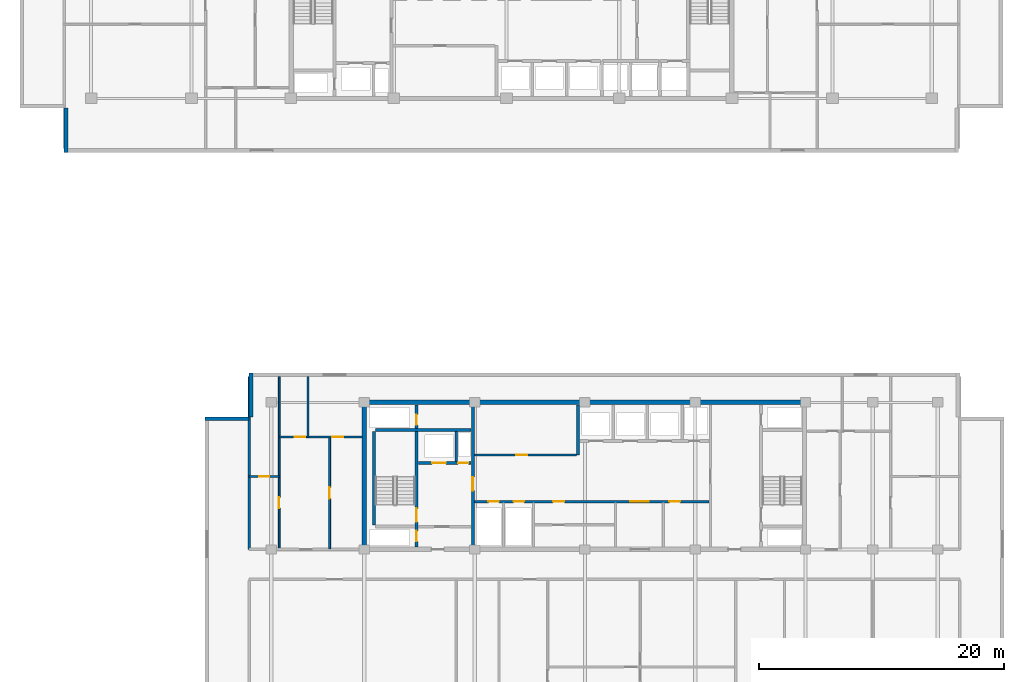
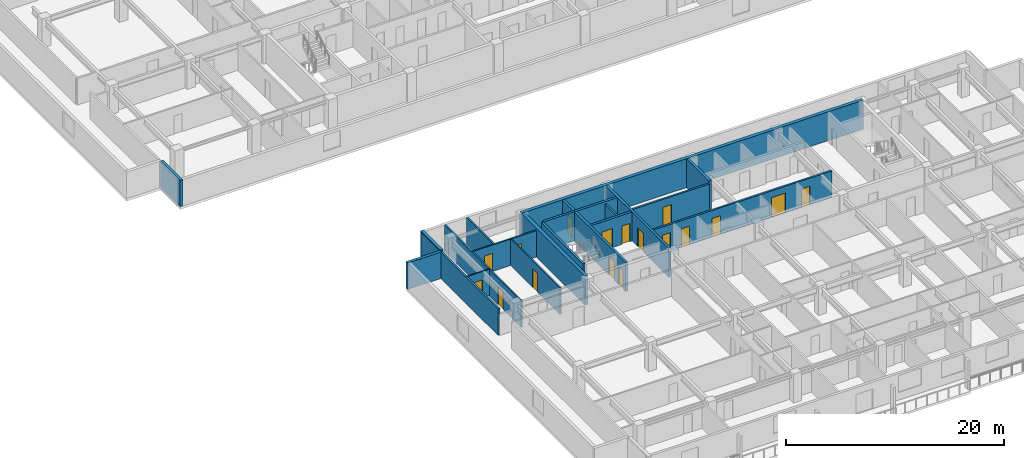
# One storey, part 6 of 21: 20 walls, 17 doors, 17 openings.
"""IFC4 building model written with IfcOpenShell, lengths in metres."""

from ifc_helpers import new_model, si_unit, direction, frame, frame_2d, origin, place, context, subcontext, project, spatial, rectangle, extrude, material, layer, layer_set, type_object, element, fill, save


model = new_model("IFC4")

# Units and contexts
model_context = context("Model", 3, precision=1e-05, world=origin(), true_north=direction((0.0, 1.0)))
body_context = subcontext(model_context, "Body", "Model", "MODEL_VIEW")
ifc_project = project(units=[si_unit("LENGTHUNIT", "METRE"), si_unit("AREAUNIT", "SQUARE_METRE"), si_unit("VOLUMEUNIT", "CUBIC_METRE"), si_unit("PLANEANGLEUNIT", "RADIAN"), si_unit("MASSUNIT", "GRAM", prefix="KILO")], contexts=[model_context])

# Site, building, storey
site_placement = place(None, origin())
site = spatial("IfcSite", under=ifc_project, at=site_placement, CompositionType="ELEMENT")
building_placement = place(site_placement, origin())
building = spatial("IfcBuilding", under=site, at=building_placement, Name="Korimba Cascade Residences", CompositionType="ELEMENT")
storey_placement = place(building_placement, frame((0.0, 0.0, 119.800048828125)))
storey = spatial("IfcBuildingStorey", under=building, at=storey_placement, Name="L34", CompositionType="ELEMENT", Elevation=119.800048828125)

# Walls
ifc_material_1 = material(Name="Precast concrete C40/50", Category="concrete")
ifc_layer_1 = layer(ifc_material_1, 0.300048828125)
ifc_layer_set_1 = layer_set([ifc_layer_1], Name="Precast concrete C40/50")
wall_type_1 = type_object("IfcWallType", Name="EW-STONE-300", PredefinedType="STANDARD", material=ifc_layer_set_1)
wall_1_placement = place(storey_placement, frame((57.75, 54.39990234375, 0.0), z_axis=(0.0, 0.0, 1.0), x_axis=(0.0, -1.0, 0.0)))
element("IfcWall", 1, at=wall_1_placement, inside=storey, type_object=wall_type_1, Name="L34 T1 Perimeter Stone Wall E11", PredefinedType="STANDARD", context=body_context, shape_type="SweptSolid", body=[
    extrude(rectangle(XDim=3.599853515625, YDim=0.300048828125, at=frame_2d((1.7998046875, 0.0))), origin(), (0.0, 0.0, 1.0), 2.969970703125),
])
wall_2_placement = place(storey_placement, frame((72.85009765625, 32.800048828125, 0.0), z_axis=(0.0, 0.0, 1.0), x_axis=(0.0, -1.0, 0.0)))
element("IfcWall", 2, at=wall_2_placement, inside=storey, type_object=wall_type_1, Name="L34 T2 Perimeter Stone Wall E07", PredefinedType="STANDARD", context=body_context, shape_type="SweptSolid", body=[
    extrude(rectangle(XDim=3.60009765625, YDim=0.300048828125, at=frame_2d((1.800048828125, 0.0))), origin(), (0.0, 0.0, 1.0), 2.969970703125),
])
wall_3_placement = place(storey_placement, frame((72.699951171875, 29.050048828125, 0.0), z_axis=(0.0, 0.0, 1.0), x_axis=(-1.0, 0.0, 0.0)))
element("IfcWall", 3, at=wall_3_placement, inside=storey, type_object=wall_type_1, Name="L34 T2 Perimeter Stone Wall E08", PredefinedType="STANDARD", context=body_context, shape_type="SweptSolid", body=[
    extrude(rectangle(XDim=3.599853515625, YDim=0.300048828125, at=frame_2d((1.7998046875, 0.0))), origin(), (0.0, 0.0, 1.0), 2.969970703125),
])
ifc_material_2 = material(Name="Concrete C65/80", Category="concrete")
ifc_layer_2 = layer(ifc_material_2, 0.35009765625)
ifc_layer_set_2 = layer_set([ifc_layer_2], Name="Concrete C65/80")
wall_type_2 = type_object("IfcWallType", Name="WAL-CORE-350", PredefinedType="SHEAR", material=ifc_layer_set_2)
wall_4_placement = place(storey_placement, frame((81.925048828125, 30.39990234375, 0.0), z_axis=(0.0, 0.0, 1.0), x_axis=(1.0, 0.0, 0.0)))
element("IfcWall", 4, at=wall_4_placement, inside=storey, type_object=wall_type_2, Name="L34 Core Shear Wall CW-L34-T2-N", PredefinedType="SHEAR", context=body_context, shape_type="SweptSolid", body=[
    extrude(rectangle(XDim=36.264892578125, YDim=0.35009765625, at=frame_2d((18.13232421875, 0.0))), origin(), (0.0, 0.0, 1.0), 3.25),
])
wall_5_placement = place(storey_placement, frame((82.10009765625, 18.574951171875, 0.0), z_axis=(0.0, 0.0, 1.0), x_axis=(0.0, 1.0, 0.0)))
element("IfcWall", 5, at=wall_5_placement, inside=storey, type_object=wall_type_2, Name="L34 Core Shear Wall CW-L34-T2-W", PredefinedType="SHEAR", context=body_context, shape_type="SweptSolid", body=[
    extrude(rectangle(XDim=11.650146484375, YDim=0.35009765625, at=frame_2d((5.8251953125, 0.0))), origin(), (0.0, 0.0, 1.0), 3.25),
])
ifc_layer_3 = layer(ifc_material_1, 0.199951171875)
ifc_layer_set_3 = layer_set([ifc_layer_3], Name="Precast concrete C40/50")
wall_type_3 = type_object("IfcWallType", Name="WAL-IT-200", PredefinedType="PARTITIONING", material=ifc_layer_set_3)
wall_6_placement = place(storey_placement, frame((72.699951171875, 18.39990234375, 0.0), z_axis=(0.0, 0.0, 1.0), x_axis=(0.0, 1.0, 0.0)))
element("IfcWall", 6, at=wall_6_placement, inside=storey, type_object=wall_type_3, Name="L34 Partition Wall WAL-L34-T2-FW-WL", PredefinedType="PARTITIONING", context=body_context, shape_type="SweptSolid", body=[
    extrude(rectangle(XDim=14.10009765625, YDim=0.199951171875, at=frame_2d((7.050048828125, 0.0))), origin(), (0.0, 0.0, 1.0), 2.969970703125),
])

# Wall, opening, door
ifc_material_3 = material(Name="Insulated Acoustic Stud Partition", Category="gypsum")
ifc_layer_4 = layer(ifc_material_3, 0.14990234375)
ifc_layer_set_4 = layer_set([ifc_layer_4], Name="Insulated Acoustic Stud Partition")
wall_type_4 = type_object("IfcWallType", Name="WAL-PART-150", PredefinedType="PARTITIONING", material=ifc_layer_set_4)
wall_7_placement = place(storey_placement, frame((72.699951171875, 24.35009765625, 0.0), z_axis=(0.0, 0.0, 1.0), x_axis=(1.0, 0.0, 0.0)))
wall_7 = element("IfcWall", 7, at=wall_7_placement, inside=storey, type_object=wall_type_4, Name="L34 Partition Wall WAL-L34-T2-FW-STH", PredefinedType="PARTITIONING", context=body_context, shape_type="SweptSolid", body=[
    extrude(rectangle(XDim=2.449951171875, YDim=0.14990234375, at=frame_2d((1.22509765625, 0.0))), origin(), (0.0, 0.0, 1.0), 2.969970703125),
])
opening_1_placement = place(wall_7_placement, frame((0.804931640625, 0.0, 0.0)))
opening_1 = element("IfcOpeningElement", 8, at=opening_1_placement, cuts=wall_7, Name="Opening D-BT1", PredefinedType="OPENING", context=body_context, shape_type="SweptSolid", body=[
    extrude(rectangle(XDim=0.840087890625, YDim=2.0400390625, at=frame_2d((0.419921875, 1.02001953125))), frame((0.0, 0.0849609375, 0.0), z_axis=(0.0, -1.0, 0.0), x_axis=(1.0, 0.0, 0.0)), (0.0, 0.0, 1.0), 0.169921875),
])
ifc_material_4 = material(Name="Moisture-Resistant Bathroom Timber Door", Category="wood")
door_type_1 = type_object("IfcDoorType", Name="DR-INT-850", OperationType="NOTDEFINED", PredefinedType="DOOR", material=ifc_material_4)
door_1_placement = place(opening_1_placement, origin())
door_1 = element("IfcDoor", 9, at=door_1_placement, inside=storey, type_object=door_type_1, Name="L34-T2-FW Dressing Store Door", OperationType="SINGLE_SWING_RIGHT", OverallHeight=2.0400390625, OverallWidth=0.840087890625, PredefinedType="DOOR", context=body_context, shape_type="SweptSolid", body=[
    extrude(rectangle(XDim=0.840087890625, YDim=2.0400390625, at=frame_2d((0.419921875, 1.02001953125))), frame((0.0, 0.02490234375, 0.0), z_axis=(0.0, -1.0, 0.0), x_axis=(1.0, 0.0, 0.0)), (0.0, 0.0, 1.0), 0.050048828125),
])
fill(opening_1, door_1)

wall_8_placement = place(storey_placement, frame((75.14990234375, 18.449951171875, 0.0), z_axis=(0.0, 0.0, 1.0), x_axis=(0.0, 1.0, 0.0)))
wall_8 = element("IfcWall", 10, at=wall_8_placement, inside=storey, type_object=wall_type_4, Name="L34 Partition Wall WAL-L34-T2-FW-STV", PredefinedType="PARTITIONING", context=body_context, shape_type="SweptSolid", body=[
    extrude(rectangle(XDim=14.050048828125, YDim=0.14990234375, at=frame_2d((7.02490234375, 0.0))), origin(), (0.0, 0.0, 1.0), 2.969970703125),
])
opening_2_placement = place(wall_8_placement, frame((3.320068359375, 0.0, 0.0)))
opening_2 = element("IfcOpeningElement", 11, at=opening_2_placement, cuts=wall_8, Name="Opening D-IN2", PredefinedType="OPENING", context=body_context, shape_type="SweptSolid", body=[
    extrude(rectangle(XDim=0.8798828125, YDim=2.06005859375, at=frame_2d((0.43994140625, 1.030029296875))), frame((0.0, 0.0849609375, 0.0), z_axis=(0.0, -1.0, 0.0), x_axis=(1.0, 0.0, 0.0)), (0.0, 0.0, 1.0), 0.169921875),
])
ifc_material_5 = material(Name="Acoustic Timber Bedroom Door", Category="wood")
door_type_2 = type_object("IfcDoorType", Name="DR-INT-880", OperationType="NOTDEFINED", PredefinedType="DOOR", material=ifc_material_5)
door_2_placement = place(opening_2_placement, origin())
door_2 = element("IfcDoor", 12, at=door_2_placement, inside=storey, type_object=door_type_2, Name="L34-T2-FW Study Door", OperationType="SINGLE_SWING_LEFT", OverallHeight=2.06005859375, OverallWidth=0.8798828125, PredefinedType="DOOR", context=body_context, shape_type="SweptSolid", body=[
    extrude(rectangle(XDim=0.8798828125, YDim=2.06005859375, at=frame_2d((0.43994140625, 1.030029296875))), frame((0.0, 0.02490234375, 0.0), z_axis=(0.0, -1.0, 0.0), x_axis=(1.0, 0.0, 0.0)), (0.0, 0.0, 1.0), 0.050048828125),
])
fill(opening_2, door_2)

wall_9_placement = place(storey_placement, frame((79.27001953125, 18.449951171875, 0.0), z_axis=(0.0, 0.0, 1.0), x_axis=(0.0, 1.0, 0.0)))
wall_9 = element("IfcWall", 13, at=wall_9_placement, inside=storey, type_object=wall_type_4, Name="L34 Partition Wall WAL-L34-T2-FW-VS", PredefinedType="PARTITIONING", context=body_context, shape_type="SweptSolid", body=[
    extrude(rectangle(XDim=9.1201171875, YDim=0.14990234375, at=frame_2d((4.56005859375, 0.0))), origin(), (0.0, 0.0, 1.0), 2.969970703125),
])
opening_3_placement = place(wall_9_placement, frame((4.10009765625, 0.0, 0.0)))
opening_3 = element("IfcOpeningElement", 14, at=opening_3_placement, cuts=wall_9, Name="Opening D-IN1", PredefinedType="OPENING", context=body_context, shape_type="SweptSolid", body=[
    extrude(rectangle(XDim=0.919921875, YDim=2.080078125, at=frame_2d((0.4599609375, 1.0400390625))), frame((0.0, 0.0849609375, 0.0), z_axis=(0.0, -1.0, 0.0), x_axis=(1.0, 0.0, 0.0)), (0.0, 0.0, 1.0), 0.169921875),
])
ifc_material_6 = material(Name="Acoustic Timber Living Door", Category="wood")
door_type_3 = type_object("IfcDoorType", Name="DR-INT-920", OperationType="NOTDEFINED", PredefinedType="DOOR", material=ifc_material_6)
door_3_placement = place(opening_3_placement, origin())
door_3 = element("IfcDoor", 15, at=door_3_placement, inside=storey, type_object=door_type_3, Name="L34-T2-FW Living Door", OperationType="SINGLE_SWING_RIGHT", OverallHeight=2.080078125, OverallWidth=0.919921875, PredefinedType="DOOR", context=body_context, shape_type="SweptSolid", body=[
    extrude(rectangle(XDim=0.919921875, YDim=2.080078125, at=frame_2d((0.4599609375, 1.0400390625))), frame((0.0, 0.02490234375, 0.0), z_axis=(0.0, -1.0, 0.0), x_axis=(1.0, 0.0, 0.0)), (0.0, 0.0, 1.0), 0.050048828125),
])
fill(opening_3, door_3)

# Wall
wall_10_placement = place(storey_placement, frame((77.5, 27.570068359375, 0.0), z_axis=(0.0, 0.0, 1.0), x_axis=(0.0, 1.0, 0.0)))
element("IfcWall", 16, at=wall_10_placement, inside=storey, type_object=wall_type_4, Name="L34 Partition Wall WAL-L34-T2-FW-VN", PredefinedType="PARTITIONING", context=body_context, shape_type="SweptSolid", body=[
    extrude(rectangle(XDim=4.929931640625, YDim=0.14990234375, at=frame_2d((2.46484375, 0.0))), origin(), (0.0, 0.0, 1.0), 2.969970703125),
])

# Wall, openings, doors
wall_11_placement = place(storey_placement, frame((75.169921875, 27.570068359375, 0.0), z_axis=(0.0, 0.0, 1.0), x_axis=(1.0, 0.0, 0.0)))
wall_11 = element("IfcWall", 17, at=wall_11_placement, inside=storey, type_object=wall_type_4, Name="L34 Partition Wall WAL-L34-T2-FW-H", PredefinedType="PARTITIONING", context=body_context, shape_type="SweptSolid", body=[
    extrude(rectangle(XDim=6.760009765625, YDim=0.14990234375, at=frame_2d((3.3798828125, 0.0))), origin(), (0.0, 0.0, 1.0), 2.969970703125),
])
opening_4_placement = place(wall_11_placement, frame((1.266357421875, 0.0, 0.0)))
opening_4 = element("IfcOpeningElement", 18, at=opening_4_placement, cuts=wall_11, Name="Opening D-BT1", PredefinedType="OPENING", context=body_context, shape_type="SweptSolid", body=[
    extrude(rectangle(XDim=0.840087890625, YDim=2.0400390625, at=frame_2d((0.419921875, 1.02001953125))), frame((0.0, 0.0849609375, 0.0), z_axis=(0.0, -1.0, 0.0), x_axis=(1.0, 0.0, 0.0)), (0.0, 0.0, 1.0), 0.169921875),
])
opening_5_placement = place(wall_11_placement, frame((4.320068359375, 0.0, 0.0)))
opening_5 = element("IfcOpeningElement", 19, at=opening_5_placement, cuts=wall_11, Name="Opening D-IN2", PredefinedType="OPENING", context=body_context, shape_type="SweptSolid", body=[
    extrude(rectangle(XDim=0.8798828125, YDim=2.06005859375, at=frame_2d((0.43994140625, 1.030029296875))), frame((0.0, 0.0849609375, 0.0), z_axis=(0.0, -1.0, 0.0), x_axis=(1.0, 0.0, 0.0)), (0.0, 0.0, 1.0), 0.169921875),
])
door_4_placement = place(opening_4_placement, origin())
door_4 = element("IfcDoor", 20, at=door_4_placement, inside=storey, type_object=door_type_1, Name="L34-T2-FW Bathroom Door", OperationType="SINGLE_SWING_LEFT", OverallHeight=2.0400390625, OverallWidth=0.840087890625, PredefinedType="DOOR", context=body_context, shape_type="SweptSolid", body=[
    extrude(rectangle(XDim=0.840087890625, YDim=2.0400390625, at=frame_2d((0.419921875, 1.02001953125))), frame((0.0, 0.02490234375, 0.0), z_axis=(0.0, -1.0, 0.0), x_axis=(1.0, 0.0, 0.0)), (0.0, 0.0, 1.0), 0.050048828125),
])
fill(opening_4, door_4)
door_5_placement = place(opening_5_placement, origin())
door_5 = element("IfcDoor", 21, at=door_5_placement, inside=storey, type_object=door_type_2, Name="L34-T2-FW Bedroom Door", OperationType="SINGLE_SWING_RIGHT", OverallHeight=2.06005859375, OverallWidth=0.8798828125, PredefinedType="DOOR", context=body_context, shape_type="SweptSolid", body=[
    extrude(rectangle(XDim=0.8798828125, YDim=2.06005859375, at=frame_2d((0.43994140625, 1.030029296875))), frame((0.0, 0.02490234375, 0.0), z_axis=(0.0, -1.0, 0.0), x_axis=(1.0, 0.0, 0.0)), (0.0, 0.0, 1.0), 0.050048828125),
])
fill(opening_5, door_5)

# Wall
ifc_material_7 = material(Name="Concrete C40/50", Category="concrete")
ifc_layer_5 = layer(ifc_material_7, 0.199951171875)
ifc_layer_set_5 = layer_set([ifc_layer_5], Name="Concrete C40/50")
wall_type_5 = type_object("IfcWallType", Name="WAL-PART-200", PredefinedType="PARTITIONING", material=ifc_layer_set_5)
wall_12_placement = place(storey_placement, frame((89.60009765625, 25.580078125, 0.0), z_axis=(0.0, 0.0, 1.0), x_axis=(0.0, 1.0, 0.0)))
element("IfcWall", 22, at=wall_12_placement, inside=storey, type_object=wall_type_5, Name="L34 Partition Wall CW-L34-T2-FFLDIV", PredefinedType="PARTITIONING", context=body_context, shape_type="SweptSolid", body=[
    extrude(rectangle(XDim=2.419921875, YDim=0.199951171875, at=frame_2d((1.2099609375, 0.0))), origin(), (0.0, 0.0, 1.0), 2.969970703125),
])

# Wall, opening, door
wall_13_placement = place(storey_placement, frame((91.080078125, 26.10009765625, 0.0), z_axis=(0.0, 0.0, 1.0), x_axis=(1.0, 0.0, 0.0)))
wall_13 = element("IfcWall", 23, at=wall_13_placement, inside=storey, type_object=wall_type_5, Name="L34 Partition Wall CW-L34-T2-B1RS", PredefinedType="PARTITIONING", context=body_context, shape_type="SweptSolid", body=[
    extrude(rectangle(XDim=8.33984375, YDim=0.199951171875, at=frame_2d((4.169921875, 0.0))), origin(), (0.0, 0.0, 1.0), 2.969970703125),
])
opening_6_placement = place(wall_13_placement, frame((3.39990234375, 0.0, 0.0)))
opening_6 = element("IfcOpeningElement", 24, at=opening_6_placement, cuts=wall_13, Name="Opening D-ST1", PredefinedType="OPENING", context=body_context, shape_type="SweptSolid", body=[
    extrude(rectangle(XDim=0.919921875, YDim=2.080078125, at=frame_2d((0.4599609375, 1.0400390625))), frame((0.0, 0.10986328125, 0.0), z_axis=(0.0, -1.0, 0.0), x_axis=(1.0, 0.0, 0.0)), (0.0, 0.0, 1.0), 0.219970703125),
])
ifc_material_8 = material(Name="Fire-Rated Core Store Door", Category="wood")
door_type_4 = type_object("IfcDoorType", Name="DR-FD60-920", OperationType="NOTDEFINED", PredefinedType="DOOR", material=ifc_material_8)
door_6_placement = place(opening_6_placement, origin())
door_6 = element("IfcDoor", 25, at=door_6_placement, inside=storey, type_object=door_type_4, Name="L34 T2 Resident Storage Door", OperationType="SINGLE_SWING_LEFT", OverallHeight=2.080078125, OverallWidth=0.919921875, PredefinedType="DOOR", context=body_context, shape_type="SweptSolid", body=[
    extrude(rectangle(XDim=0.919921875, YDim=2.080078125, at=frame_2d((0.4599609375, 1.0400390625))), frame((0.0, 0.02490234375, 0.0), z_axis=(0.0, -1.0, 0.0), x_axis=(1.0, 0.0, 0.0)), (0.0, 0.0, 1.0), 0.050048828125),
])
fill(opening_6, door_6)

# Wall, openings, doors
wall_14_placement = place(storey_placement, frame((91.080078125, 22.300048828125, 0.0), z_axis=(0.0, 0.0, 1.0), x_axis=(1.0, 0.0, 0.0)))
wall_14 = element("IfcWall", 26, at=wall_14_placement, inside=storey, type_object=wall_type_5, Name="L34 Partition Wall CW-L34-T2-SRVROW", PredefinedType="PARTITIONING", context=body_context, shape_type="SweptSolid", body=[
    extrude(rectangle(XDim=19.139892578125, YDim=0.199951171875, at=frame_2d((9.56982421875, 0.0))), origin(), (0.0, 0.0, 1.0), 2.969970703125),
])
opening_7_placement = place(wall_14_placement, frame((1.14990234375, 0.0, 0.0)))
opening_7 = element("IfcOpeningElement", 27, at=opening_7_placement, cuts=wall_14, Name="Opening D-RS1", PredefinedType="OPENING", context=body_context, shape_type="SweptSolid", body=[
    extrude(rectangle(XDim=0.85009765625, YDim=2.050048828125, at=frame_2d((0.425048828125, 1.02490234375))), frame((0.0, 0.10986328125, 0.0), z_axis=(0.0, -1.0, 0.0), x_axis=(1.0, 0.0, 0.0)), (0.0, 0.0, 1.0), 0.219970703125),
])
opening_8_placement = place(wall_14_placement, frame((3.199951171875, 0.0, 0.0)))
opening_8 = element("IfcOpeningElement", 28, at=opening_8_placement, cuts=wall_14, Name="Opening D-RS1", PredefinedType="OPENING", context=body_context, shape_type="SweptSolid", body=[
    extrude(rectangle(XDim=0.85009765625, YDim=2.050048828125, at=frame_2d((0.425048828125, 1.02490234375))), frame((0.0, 0.10986328125, 0.0), z_axis=(0.0, -1.0, 0.0), x_axis=(1.0, 0.0, 0.0)), (0.0, 0.0, 1.0), 0.219970703125),
])
opening_9_placement = place(wall_14_placement, frame((12.719970703125, 0.0, 0.0)))
opening_9 = element("IfcOpeningElement", 29, at=opening_9_placement, cuts=wall_14, Name="Opening D-FD8", PredefinedType="OPENING", context=body_context, shape_type="SweptSolid", body=[
    extrude(rectangle(XDim=1.5, YDim=2.199951171875, at=frame_2d((0.75, 1.10009765625))), frame((0.0, 0.10986328125, 0.0), z_axis=(0.0, -1.0, 0.0), x_axis=(1.0, 0.0, 0.0)), (0.0, 0.0, 1.0), 0.219970703125),
])
opening_10_placement = place(wall_14_placement, frame((6.419921875, 0.0, 0.0)))
opening_10 = element("IfcOpeningElement", 30, at=opening_10_placement, cuts=wall_14, Name="Opening D-IN1", PredefinedType="OPENING", context=body_context, shape_type="SweptSolid", body=[
    extrude(rectangle(XDim=0.919921875, YDim=2.080078125, at=frame_2d((0.4599609375, 1.0400390625))), frame((0.0, 0.10986328125, 0.0), z_axis=(0.0, -1.0, 0.0), x_axis=(1.0, 0.0, 0.0)), (0.0, 0.0, 1.0), 0.219970703125),
])
opening_11_placement = place(wall_14_placement, frame((15.919921875, 0.0, 0.0)))
opening_11 = element("IfcOpeningElement", 31, at=opening_11_placement, cuts=wall_14, Name="Opening D-IN2", PredefinedType="OPENING", context=body_context, shape_type="SweptSolid", body=[
    extrude(rectangle(XDim=0.8798828125, YDim=2.06005859375, at=frame_2d((0.43994140625, 1.030029296875))), frame((0.0, 0.10986328125, 0.0), z_axis=(0.0, -1.0, 0.0), x_axis=(1.0, 0.0, 0.0)), (0.0, 0.0, 1.0), 0.219970703125),
])
ifc_material_9 = material(Name="Fire-Rated Steel Riser Access Door", Category="steel")
door_type_5 = type_object("IfcDoorType", Name="DR-FD60-850", OperationType="NOTDEFINED", PredefinedType="DOOR", material=ifc_material_9)
door_7_placement = place(opening_7_placement, origin())
door_7 = element("IfcDoor", 32, at=door_7_placement, inside=storey, type_object=door_type_5, Name="L34 T2 Electrical Riser Door", OperationType="SINGLE_SWING_RIGHT", OverallHeight=2.050048828125, OverallWidth=0.85009765625, PredefinedType="DOOR", context=body_context, shape_type="SweptSolid", body=[
    extrude(rectangle(XDim=0.85009765625, YDim=2.050048828125, at=frame_2d((0.425048828125, 1.02490234375))), frame((0.0, 0.02490234375, 0.0), z_axis=(0.0, -1.0, 0.0), x_axis=(1.0, 0.0, 0.0)), (0.0, 0.0, 1.0), 0.050048828125),
])
fill(opening_7, door_7)
door_8_placement = place(opening_8_placement, origin())
door_8 = element("IfcDoor", 33, at=door_8_placement, inside=storey, type_object=door_type_5, Name="L34 T2 Plumbing Riser Door", OperationType="SINGLE_SWING_LEFT", OverallHeight=2.050048828125, OverallWidth=0.85009765625, PredefinedType="DOOR", context=body_context, shape_type="SweptSolid", body=[
    extrude(rectangle(XDim=0.85009765625, YDim=2.050048828125, at=frame_2d((0.425048828125, 1.02490234375))), frame((0.0, 0.02490234375, 0.0), z_axis=(0.0, -1.0, 0.0), x_axis=(1.0, 0.0, 0.0)), (0.0, 0.0, 1.0), 0.050048828125),
])
fill(opening_8, door_8)
ifc_material_10 = material(Name="Fire-Rated Glazed Lift Lobby Double Door", Category="glass")
door_type_6 = type_object("IfcDoorType", Name="DR-FD90-1500", OperationType="NOTDEFINED", PredefinedType="DOOR", material=ifc_material_10)
door_9_placement = place(opening_9_placement, origin())
door_9 = element("IfcDoor", 34, at=door_9_placement, inside=storey, type_object=door_type_6, Name="L34 T2 Lift Lobby Foyer Door", OperationType="DOUBLE_DOOR_SINGLE_SWING", OverallHeight=2.199951171875, OverallWidth=1.5, PredefinedType="DOOR", context=body_context, shape_type="SweptSolid", body=[
    extrude(rectangle(XDim=1.5, YDim=2.199951171875, at=frame_2d((0.75, 1.10009765625))), frame((0.0, 0.02490234375, 0.0), z_axis=(0.0, -1.0, 0.0), x_axis=(1.0, 0.0, 0.0)), (0.0, 0.0, 1.0), 0.050048828125),
])
fill(opening_9, door_9)
door_10_placement = place(opening_11_placement, origin())
door_10 = element("IfcDoor", 35, at=door_10_placement, inside=storey, type_object=door_type_2, Name="L34 T2 Staff WC Door", OperationType="SINGLE_SWING_LEFT", OverallHeight=2.06005859375, OverallWidth=0.8798828125, PredefinedType="DOOR", context=body_context, shape_type="SweptSolid", body=[
    extrude(rectangle(XDim=0.8798828125, YDim=2.06005859375, at=frame_2d((0.43994140625, 1.030029296875))), frame((0.0, 0.02490234375, 0.0), z_axis=(0.0, -1.0, 0.0), x_axis=(1.0, 0.0, 0.0)), (0.0, 0.0, 1.0), 0.050048828125),
])
fill(opening_11, door_10)
door_11_placement = place(opening_10_placement, origin())
door_11 = element("IfcDoor", 36, at=door_11_placement, inside=storey, type_object=door_type_3, Name="L34 T2 Locker Door", OperationType="SINGLE_SWING_RIGHT", OverallHeight=2.080078125, OverallWidth=0.919921875, PredefinedType="DOOR", context=body_context, shape_type="SweptSolid", body=[
    extrude(rectangle(XDim=0.919921875, YDim=2.080078125, at=frame_2d((0.4599609375, 1.0400390625))), frame((0.0, 0.02490234375, 0.0), z_axis=(0.0, -1.0, 0.0), x_axis=(1.0, 0.0, 0.0)), (0.0, 0.0, 1.0), 0.050048828125),
])
fill(opening_10, door_11)

# Wall
ifc_material_11 = material(Name="Concrete C50/60", Category="concrete")
ifc_layer_6 = layer(ifc_material_11, 0.25)
ifc_layer_set_6 = layer_set([ifc_layer_6], Name="Concrete C50/60")
wall_type_6 = type_object("IfcWallType", Name="WAL-SHAFT-250", PredefinedType="SHEAR", material=ifc_layer_set_6)
wall_15_placement = place(storey_placement, frame((82.875, 20.39990234375, 0.0), z_axis=(0.0, 0.0, 1.0), x_axis=(0.0, 1.0, 0.0)))
element("IfcWall", 37, at=wall_15_placement, inside=storey, type_object=wall_type_6, Name="L34 Core Shear Wall CW-L34-T2-STE1W", PredefinedType="SHEAR", context=body_context, shape_type="SweptSolid", body=[
    extrude(rectangle(XDim=7.60009765625, YDim=0.25, at=frame_2d((3.800048828125, 0.0))), origin(), (0.0, 0.0, 1.0), 3.25),
])

# Wall, openings, doors
wall_16_placement = place(storey_placement, frame((86.364990234375, 18.60009765625, 0.0), z_axis=(0.0, 0.0, 1.0), x_axis=(0.0, 1.0, 0.0)))
wall_16 = element("IfcWall", 38, at=wall_16_placement, inside=storey, type_object=wall_type_6, Name="L34 Core Shear Wall CW-L34-T2-STE1E", PredefinedType="SHEAR", context=body_context, shape_type="SweptSolid", body=[
    extrude(rectangle(XDim=11.599853515625, YDim=0.25, at=frame_2d((5.7998046875, 0.0))), origin(), (0.0, 0.0, 1.0), 3.25),
])
opening_12_placement = place(wall_16_placement, frame((0.449951171875, 0.0, 0.0)))
opening_12 = element("IfcOpeningElement", 39, at=opening_12_placement, cuts=wall_16, Name="Opening D-RS1", PredefinedType="OPENING", context=body_context, shape_type="SweptSolid", body=[
    extrude(rectangle(XDim=0.85009765625, YDim=2.050048828125, at=frame_2d((0.425048828125, 1.02490234375))), frame((0.0, 0.135009765625, 0.0), z_axis=(0.0, -1.0, 0.0), x_axis=(1.0, 0.0, 0.0)), (0.0, 0.0, 1.0), 0.27001953125),
])
opening_13_placement = place(wall_16_placement, frame((2.050048828125, 0.0, 0.0)))
opening_13 = element("IfcOpeningElement", 40, at=opening_13_placement, cuts=wall_16, Name="Opening D-FD1", PredefinedType="OPENING", context=body_context, shape_type="SweptSolid", body=[
    extrude(rectangle(XDim=1.10009765625, YDim=2.10009765625, at=frame_2d((0.550048828125, 1.050048828125))), frame((0.0, 0.135009765625, 0.0), z_axis=(0.0, -1.0, 0.0), x_axis=(1.0, 0.0, 0.0)), (0.0, 0.0, 1.0), 0.27001953125),
])
opening_14_placement = place(wall_16_placement, frame((9.949951171875, 0.0, 0.0)))
opening_14 = element("IfcOpeningElement", 41, at=opening_14_placement, cuts=wall_16, Name="Opening D-RS1", PredefinedType="OPENING", context=body_context, shape_type="SweptSolid", body=[
    extrude(rectangle(XDim=0.85009765625, YDim=2.050048828125, at=frame_2d((0.425048828125, 1.02490234375))), frame((0.0, 0.135009765625, 0.0), z_axis=(0.0, -1.0, 0.0), x_axis=(1.0, 0.0, 0.0)), (0.0, 0.0, 1.0), 0.27001953125),
])
ifc_material_12 = material(Name="Fire-Rated Steel Core Door", Category="steel")
door_type_7 = type_object("IfcDoorType", Name="DR-FD120-1100", OperationType="NOTDEFINED", PredefinedType="DOOR", material=ifc_material_12)
door_12_placement = place(opening_13_placement, origin())
door_12 = element("IfcDoor", 42, at=door_12_placement, inside=storey, type_object=door_type_7, Name="L34 Fire Stair ST-E1 Door", OperationType="SINGLE_SWING_RIGHT", OverallHeight=2.10009765625, OverallWidth=1.10009765625, PredefinedType="DOOR", context=body_context, shape_type="SweptSolid", body=[
    extrude(rectangle(XDim=1.10009765625, YDim=2.10009765625, at=frame_2d((0.550048828125, 1.050048828125))), frame((0.0, 0.02490234375, 0.0), z_axis=(0.0, -1.0, 0.0), x_axis=(1.0, 0.0, 0.0)), (0.0, 0.0, 1.0), 0.050048828125),
])
fill(opening_13, door_12)
door_13_placement = place(opening_12_placement, origin())
door_13 = element("IfcDoor", 43, at=door_13_placement, inside=storey, type_object=door_type_5, Name="L34 T2 Hydrant Riser Door", OperationType="SINGLE_SWING_LEFT", OverallHeight=2.050048828125, OverallWidth=0.85009765625, PredefinedType="DOOR", context=body_context, shape_type="SweptSolid", body=[
    extrude(rectangle(XDim=0.85009765625, YDim=2.050048828125, at=frame_2d((0.425048828125, 1.02490234375))), frame((0.0, 0.02490234375, 0.0), z_axis=(0.0, -1.0, 0.0), x_axis=(1.0, 0.0, 0.0)), (0.0, 0.0, 1.0), 0.050048828125),
])
fill(opening_12, door_13)
door_14_placement = place(opening_14_placement, origin())
door_14 = element("IfcDoor", 44, at=door_14_placement, inside=storey, type_object=door_type_5, Name="L34 T2 Smoke Shaft Door", OperationType="SINGLE_SWING_LEFT", OverallHeight=2.050048828125, OverallWidth=0.85009765625, PredefinedType="DOOR", context=body_context, shape_type="SweptSolid", body=[
    extrude(rectangle(XDim=0.85009765625, YDim=2.050048828125, at=frame_2d((0.425048828125, 1.02490234375))), frame((0.0, 0.02490234375, 0.0), z_axis=(0.0, -1.0, 0.0), x_axis=(1.0, 0.0, 0.0)), (0.0, 0.0, 1.0), 0.050048828125),
])
fill(opening_14, door_14)

# Wall
wall_17_placement = place(storey_placement, frame((83.0, 28.125, 0.0), z_axis=(0.0, 0.0, 1.0), x_axis=(1.0, 0.0, 0.0)))
element("IfcWall", 45, at=wall_17_placement, inside=storey, type_object=wall_type_6, Name="L34 Core Shear Wall CW-L34-T2-STE1N", PredefinedType="SHEAR", context=body_context, shape_type="SweptSolid", body=[
    extrude(rectangle(XDim=7.820068359375, YDim=0.25, at=frame_2d((3.91015625, 0.0))), origin(), (0.0, 0.0, 1.0), 3.25),
])

# Wall, openings, doors
wall_18_placement = place(storey_placement, frame((86.5, 25.449951171875, 0.0), z_axis=(0.0, 0.0, 1.0), x_axis=(1.0, 0.0, 0.0)))
wall_18 = element("IfcWall", 46, at=wall_18_placement, inside=storey, type_object=wall_type_6, Name="L34 Core Shear Wall CW-L34-T2-FFLN", PredefinedType="SHEAR", context=body_context, shape_type="SweptSolid", body=[
    extrude(rectangle(XDim=4.320068359375, YDim=0.25, at=frame_2d((2.16015625, 0.0))), origin(), (0.0, 0.0, 1.0), 3.25),
])
opening_15_placement = place(wall_18_placement, frame((1.139892578125, 0.0, 0.0)))
opening_15 = element("IfcOpeningElement", 47, at=opening_15_placement, cuts=wall_18, Name="Opening LD-01", PredefinedType="OPENING", context=body_context, shape_type="SweptSolid", body=[
    extrude(rectangle(XDim=1.1201171875, YDim=2.1201171875, at=frame_2d((0.56005859375, 1.06005859375))), frame((0.0, 0.135009765625, 0.0), z_axis=(0.0, -1.0, 0.0), x_axis=(1.0, 0.0, 0.0)), (0.0, 0.0, 1.0), 0.27001953125),
])
opening_16_placement = place(wall_18_placement, frame((3.25, 0.0, 0.0)))
opening_16 = element("IfcOpeningElement", 48, at=opening_16_placement, cuts=wall_18, Name="Opening D-RS1", PredefinedType="OPENING", context=body_context, shape_type="SweptSolid", body=[
    extrude(rectangle(XDim=0.85009765625, YDim=2.050048828125, at=frame_2d((0.425048828125, 1.02490234375))), frame((0.0, 0.135009765625, 0.0), z_axis=(0.0, -1.0, 0.0), x_axis=(1.0, 0.0, 0.0)), (0.0, 0.0, 1.0), 0.27001953125),
])
door_15_placement = place(opening_16_placement, origin())
door_15 = element("IfcDoor", 49, at=door_15_placement, inside=storey, type_object=door_type_5, Name="L34 T2 Pressurisation Riser Door", OperationType="SINGLE_SWING_RIGHT", OverallHeight=2.050048828125, OverallWidth=0.85009765625, PredefinedType="DOOR", context=body_context, shape_type="SweptSolid", body=[
    extrude(rectangle(XDim=0.85009765625, YDim=2.050048828125, at=frame_2d((0.425048828125, 1.02490234375))), frame((0.0, 0.02490234375, 0.0), z_axis=(0.0, -1.0, 0.0), x_axis=(1.0, 0.0, 0.0)), (0.0, 0.0, 1.0), 0.050048828125),
])
fill(opening_16, door_15)
ifc_material_13 = material(Name="Stainless Steel Lift Landing Sliding Door", Category="steel")
door_type_8 = type_object("IfcDoorType", Name="DR-LIFT-1100", OperationType="NOTDEFINED", PredefinedType="DOOR", material=ifc_material_13)
door_16_placement = place(opening_15_placement, origin())
door_16 = element("IfcDoor", 50, at=door_16_placement, inside=storey, type_object=door_type_8, Name="L34 Firefighting Lift Landing Door FFL-E1", OperationType="SLIDING_TO_RIGHT", OverallHeight=2.1201171875, OverallWidth=1.1201171875, PredefinedType="DOOR", context=body_context, shape_type="SweptSolid", body=[
    extrude(rectangle(XDim=1.1201171875, YDim=2.1201171875, at=frame_2d((0.56005859375, 1.06005859375))), frame((0.0, 0.02490234375, 0.0), z_axis=(0.0, -1.0, 0.0), x_axis=(1.0, 0.0, 0.0)), (0.0, 0.0, 1.0), 0.050048828125),
])
fill(opening_15, door_16)

# Wall, opening, door
wall_19_placement = place(storey_placement, frame((90.949951171875, 18.60009765625, 0.0), z_axis=(0.0, 0.0, 1.0), x_axis=(0.0, 1.0, 0.0)))
wall_19 = element("IfcWall", 51, at=wall_19_placement, inside=storey, type_object=wall_type_6, Name="L34 Core Shear Wall CW-L34-T2-FFLE", PredefinedType="SHEAR", context=body_context, shape_type="SweptSolid", body=[
    extrude(rectangle(XDim=11.599853515625, YDim=0.25, at=frame_2d((5.7998046875, 0.0))), origin(), (0.0, 0.0, 1.0), 3.25),
])
opening_17_placement = place(wall_19_placement, frame((4.60009765625, 0.0, 0.0)))
opening_17 = element("IfcOpeningElement", 52, at=opening_17_placement, cuts=wall_19, Name="Opening D-FD1", PredefinedType="OPENING", context=body_context, shape_type="SweptSolid", body=[
    extrude(rectangle(XDim=1.10009765625, YDim=2.10009765625, at=frame_2d((0.550048828125, 1.050048828125))), frame((0.0, 0.135009765625, 0.0), z_axis=(0.0, -1.0, 0.0), x_axis=(1.0, 0.0, 0.0)), (0.0, 0.0, 1.0), 0.27001953125),
])
door_17_placement = place(opening_17_placement, origin())
door_17 = element("IfcDoor", 53, at=door_17_placement, inside=storey, type_object=door_type_7, Name="L34 T2 Firefighting Lobby to Lift Lobby Door", OperationType="SINGLE_SWING_RIGHT", OverallHeight=2.10009765625, OverallWidth=1.10009765625, PredefinedType="DOOR", context=body_context, shape_type="SweptSolid", body=[
    extrude(rectangle(XDim=1.10009765625, YDim=2.10009765625, at=frame_2d((0.550048828125, 1.050048828125))), frame((0.0, 0.02490234375, 0.0), z_axis=(0.0, -1.0, 0.0), x_axis=(1.0, 0.0, 0.0)), (0.0, 0.0, 1.0), 0.050048828125),
])
fill(opening_17, door_17)

# Wall
wall_20_placement = place(storey_placement, frame((99.550048828125, 26.10009765625, 0.0), z_axis=(0.0, 0.0, 1.0), x_axis=(0.0, 1.0, 0.0)))
element("IfcWall", 54, at=wall_20_placement, inside=storey, type_object=wall_type_6, Name="L34 Core Shear Wall CW-L34-T2-B12DIV", PredefinedType="SHEAR", context=body_context, shape_type="SweptSolid", body=[
    extrude(rectangle(XDim=4.099853515625, YDim=0.25, at=frame_2d((2.0498046875, 0.0))), origin(), (0.0, 0.0, 1.0), 3.25),
])

save(model, "model.ifc")
